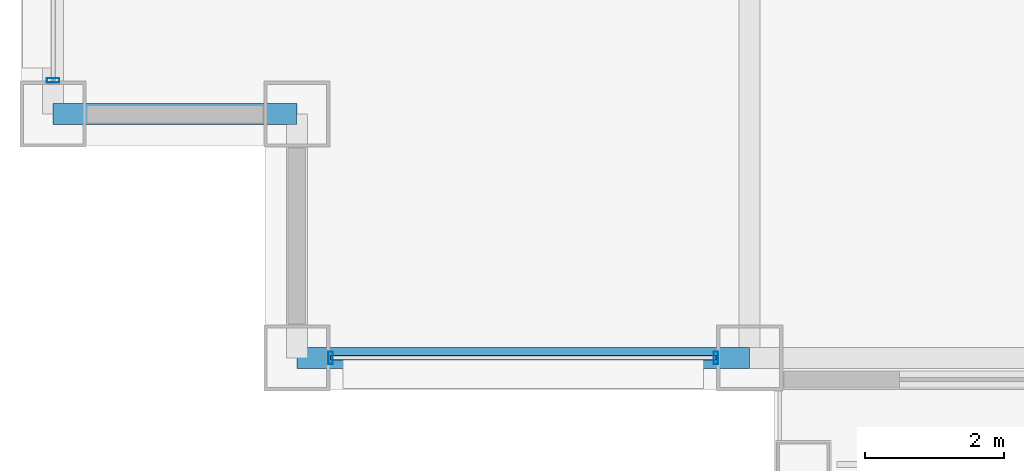
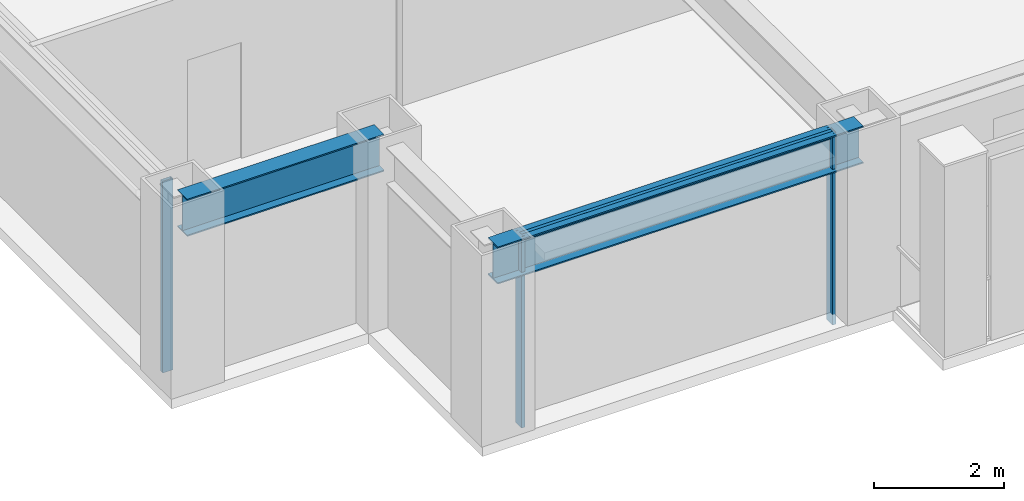
# One storey, part 2 of 31: 4 members, 2 beams, 2 elements without a shape of their own.
"""IFC4 building model written with IfcOpenShell, lengths in metres."""

from ifc_helpers import new_model, si_unit, direction, frame, origin, origin_2d, place, context, subcontext, project, spatial, hollow_rectangle, i_section, extrude, material, layer, layer_set, material_profile, profile_set, type_object, element, aggregate, save


model = new_model("IFC4")

# Units and contexts
model_context = context("Model", 3, precision=1e-05, world=origin(), true_north=direction((0.0, 1.0)))
body_context = subcontext(model_context, "Body", "Model", "MODEL_VIEW")
ifc_project = project(units=[si_unit("LENGTHUNIT", "METRE"), si_unit("AREAUNIT", "SQUARE_METRE"), si_unit("VOLUMEUNIT", "CUBIC_METRE"), si_unit("PLANEANGLEUNIT", "RADIAN"), si_unit("MASSUNIT", "GRAM", prefix="KILO")], contexts=[model_context])

# Site, building, storey
site_placement = place(None, origin())
site = spatial("IfcSite", under=ifc_project, at=site_placement, CompositionType="ELEMENT")
building_placement = place(site_placement, origin())
building = spatial("IfcBuilding", under=site, at=building_placement, Name="Brelmoor Portico Tower", CompositionType="ELEMENT")
storey_placement = place(building_placement, frame((0.0, 0.0, 38.39990234375)))
storey = spatial("IfcBuildingStorey", under=building, at=storey_placement, Name="L09", CompositionType="ELEMENT", Elevation=38.39990234375)

# Beams
ifc_material_1 = material(Name="Steel Q355B", Category="steel")
ifc_material_profile_1 = material_profile(ifc_material_1, i_section(OverallWidth=0.300048828125, OverallDepth=0.699951171875, WebThickness=0.012939453125, FlangeThickness=0.02392578125, at=origin_2d()), Name="HN 700x300x13x24")
ifc_profile_set_1 = profile_set([ifc_material_profile_1], Name="Steel Q355B")
beam_type = type_object("IfcBeamType", Name="BM-SP-700", PredefinedType="SPANDREL", material=ifc_profile_set_1)
beam_1_placement = place(storey_placement, frame((-21.050048828125, -21.550048828125, 3.050048828125), z_axis=(1.0, 0.0, 0.0), x_axis=(0.0, 1.0, 0.0)))
element("IfcBeam", 1, at=beam_1_placement, inside=storey, type_object=beam_type, Name="L09 Perimeter Spandrel Beam SP-01", PredefinedType="SPANDREL", context=body_context, shape_type="SweptSolid", body=[
    extrude(i_section(OverallWidth=0.300048828125, OverallDepth=0.699951171875, WebThickness=0.012939453125, FlangeThickness=0.02392578125, at=origin_2d()), origin(), (0.0, 0.0, 1.0), 6.5),
])
beam_2_placement = place(storey_placement, frame((-24.550048828125, -18.050048828125, 3.050048828125), z_axis=(1.0, 0.0, 0.0), x_axis=(0.0, 1.0, 0.0)))
element("IfcBeam", 2, at=beam_2_placement, inside=storey, type_object=beam_type, Name="L09 Perimeter Spandrel Beam SP-06", PredefinedType="SPANDREL", context=body_context, shape_type="SweptSolid", body=[
    extrude(i_section(OverallWidth=0.300048828125, OverallDepth=0.699951171875, WebThickness=0.012939453125, FlangeThickness=0.02392578125, at=origin_2d()), origin(), (0.0, 0.0, 1.0), 3.5),
])

# Curtain wall, members
ifc_material_2 = material(Name="Anodised Aluminium Alloy 6063-T6", Category="aluminium")
ifc_layer = layer(ifc_material_2, 0.179931640625)
ifc_layer_set = layer_set([ifc_layer], Name="Anodised Aluminium Alloy 6063-T6")
curtain_wall_type = type_object("IfcCurtainWallType", Name="CW-TOWER-Z1-XB", PredefinedType="NOTDEFINED", material=ifc_layer_set)
curtain_wall_1_placement = place(storey_placement, origin())
curtain_wall_1 = element("IfcCurtainWall", 3, at=curtain_wall_1_placement, inside=storey, type_object=curtain_wall_type, Name="L09 Curtain Wall CW-L09-1L", PredefinedType="NOTDEFINED")
ifc_material_profile_2 = material_profile(ifc_material_2, hollow_rectangle(XDim=0.06494140625, YDim=0.179931640625, WallThickness=0.00390625, at=origin_2d()), Name="ALU MULLION 65x180")
ifc_profile_set_2 = profile_set([ifc_material_profile_2], Name="Anodised Aluminium Alloy 6063-T6")
member_type_1 = type_object("IfcMemberType", Name="MB-CW-MULL-180", PredefinedType="MULLION", material=ifc_profile_set_2)
member_1_placement = place(storey_placement, frame((-20.56494140625, -21.550048828125, -0.199951171875), z_axis=(0.0, 0.0, 1.0), x_axis=(1.0, 0.0, 0.0)))
member_1 = element("IfcMember", 4, at=member_1_placement, type_object=member_type_1, Name="CW-L09-1L Mullion 00", PredefinedType="MULLION", context=body_context, shape_type="SweptSolid", body=[
    extrude(hollow_rectangle(XDim=0.06494140625, YDim=0.179931640625, WallThickness=0.00390625, at=origin_2d()), origin(), (0.0, 0.0, 1.0), 3.60009765625),
])
member_2_placement = place(storey_placement, frame((-15.034912109375, -21.550048828125, -0.199951171875), z_axis=(0.0, 0.0, 1.0), x_axis=(1.0, 0.0, 0.0)))
member_2 = element("IfcMember", 5, at=member_2_placement, type_object=member_type_1, Name="CW-L09-1L Mullion 01", PredefinedType="MULLION", context=body_context, shape_type="SweptSolid", body=[
    extrude(hollow_rectangle(XDim=0.06494140625, YDim=0.179931640625, WallThickness=0.00390625, at=origin_2d()), origin(), (0.0, 0.0, 1.0), 3.60009765625),
])

# Curtain wall, member
curtain_wall_2_placement = place(storey_placement, origin())
curtain_wall_2 = element("IfcCurtainWall", 6, at=curtain_wall_2_placement, inside=storey, type_object=curtain_wall_type, Name="L09 Curtain Wall CW-L09-03-1", PredefinedType="NOTDEFINED")
member_3_placement = place(storey_placement, frame((-24.550048828125, -17.56494140625, -0.199951171875), z_axis=(0.0, 0.0, 1.0), x_axis=(0.0, 1.0, 0.0)))
member_3 = element("IfcMember", 7, at=member_3_placement, type_object=member_type_1, Name="CW-L09-03-1 Mullion 00", PredefinedType="MULLION", context=body_context, shape_type="SweptSolid", body=[
    extrude(hollow_rectangle(XDim=0.06494140625, YDim=0.179931640625, WallThickness=0.00390625, at=origin_2d()), origin(), (0.0, 0.0, 1.0), 3.60009765625),
])
aggregate(curtain_wall_2, [member_3])

# Member
ifc_material_profile_3 = material_profile(ifc_material_2, hollow_rectangle(XDim=0.06494140625, YDim=0.139892578125, WallThickness=0.00390625, at=origin_2d()), Name="ALU TRANSOM 65x140")
ifc_profile_set_3 = profile_set([ifc_material_profile_3], Name="Anodised Aluminium Alloy 6063-T6")
member_type_2 = type_object("IfcMemberType", Name="MB-CW-TRAN-140", PredefinedType="USERDEFINED", material=ifc_profile_set_3)
member_4_placement = place(storey_placement, frame((-20.56494140625, -21.550048828125, 3.330078125), z_axis=(1.0, 0.0, 0.0), x_axis=(0.0, 1.0, 0.0)))
member_4 = element("IfcMember", 8, at=member_4_placement, type_object=member_type_2, Name="CW-L09-1L Transom 1-00", ObjectType="TRANSOM", PredefinedType="USERDEFINED", context=body_context, shape_type="SweptSolid", body=[
    extrude(hollow_rectangle(XDim=0.06494140625, YDim=0.139892578125, WallThickness=0.00390625, at=origin_2d()), origin(), (0.0, 0.0, 1.0), 5.530029296875),
])

aggregate(curtain_wall_1, [member_1, member_2, member_4])

save(model, "model.ifc")
